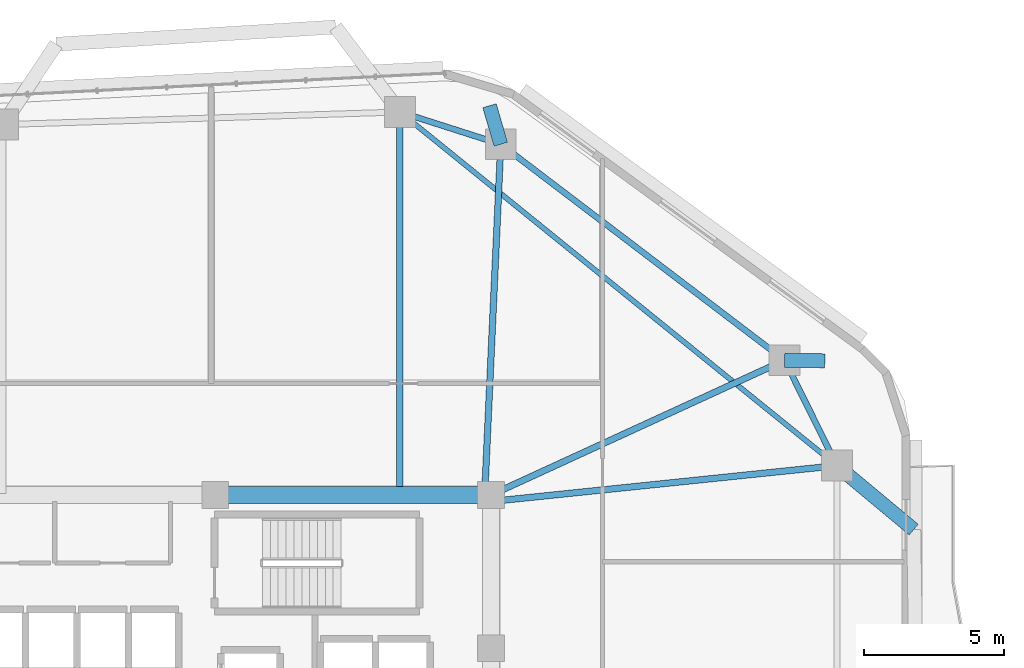
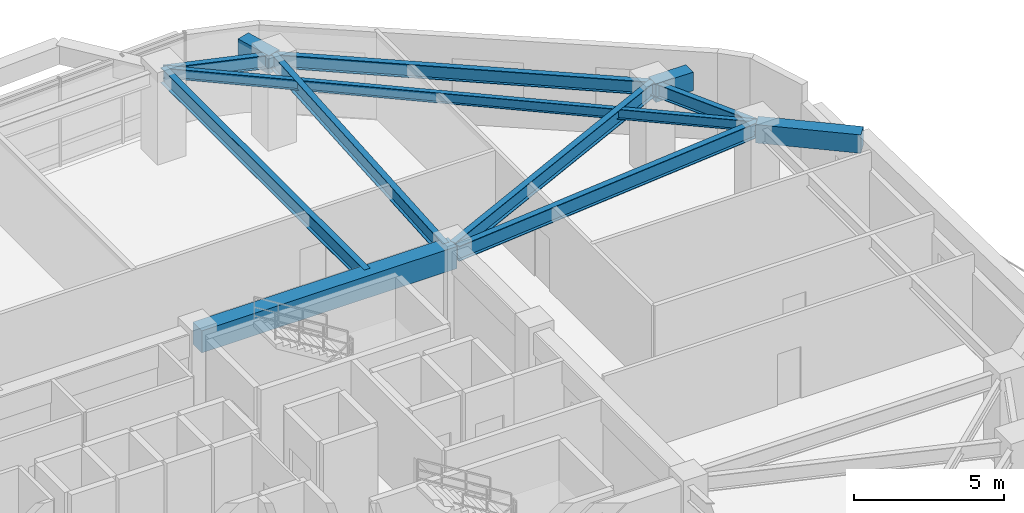
# One storey, part 5 of 14: 12 beams.
"""IFC4 building model written with IfcOpenShell, lengths in metres."""

from ifc_helpers import new_model, si_unit, direction, frame, origin, origin_2d, place, context, subcontext, project, spatial, rectangle, i_section, extrude, material, material_profile, profile_set, type_object, element, save


model = new_model("IFC4")

# Units and contexts
model_context = context("Model", 3, precision=1e-05, world=origin(), true_north=direction((0.0, 1.0)))
body_context = subcontext(model_context, "Body", "Model", "MODEL_VIEW")
ifc_project = project(units=[si_unit("LENGTHUNIT", "METRE"), si_unit("AREAUNIT", "SQUARE_METRE"), si_unit("VOLUMEUNIT", "CUBIC_METRE"), si_unit("PLANEANGLEUNIT", "RADIAN"), si_unit("MASSUNIT", "GRAM", prefix="KILO")], contexts=[model_context])

# Site, building, storey
site_placement = place(None, origin())
site = spatial("IfcSite", under=ifc_project, at=site_placement, CompositionType="ELEMENT")
building_placement = place(site_placement, origin())
building = spatial("IfcBuilding", under=site, at=building_placement, Name="Zulverin Broadcast Headquarters", CompositionType="ELEMENT")
storey_placement = place(building_placement, frame((0.0, 0.0, 147.800048828125)))
storey = spatial("IfcBuildingStorey", under=building, at=storey_placement, Name="L37", CompositionType="ELEMENT", Elevation=147.800048828125)

# Beams
ifc_material_1 = material(Name="Concrete C60/75", Category="concrete")
ifc_material_profile_1 = material_profile(ifc_material_1, rectangle(XDim=0.60009765625, YDim=0.89990234375, at=origin_2d()), Name="Concrete C60/75", Category="concrete")
ifc_profile_set_1 = profile_set([ifc_material_profile_1], Name="Concrete C60/75")
beam_type_1 = type_object("IfcBeamType", Name="BM-CB-600x900", PredefinedType="LINTEL", material=ifc_profile_set_1)
beam_1_placement = place(storey_placement, frame((48.27490234375, 33.074951171875, 3.08984375), z_axis=(-1.0, 0.0, 0.0), x_axis=(0.0, -1.0, 0.0)))
element("IfcBeam", 1, at=beam_1_placement, inside=storey, type_object=beam_type_1, Name="L37 Core Coupling Girder K05-K06", PredefinedType="LINTEL", context=body_context, shape_type="SweptSolid", body=[
    extrude(rectangle(XDim=0.60009765625, YDim=0.89990234375, at=origin_2d()), origin(), (0.0, 0.0, 1.0), 9.824951171875),
])
ifc_material_2 = material(Name="Concrete C40/50", Category="concrete")
ifc_material_profile_2 = material_profile(ifc_material_2, rectangle(XDim=0.5, YDim=0.75, at=origin_2d()), Name="Concrete C40/50", Category="concrete")
ifc_profile_set_2 = profile_set([ifc_material_profile_2], Name="Concrete C40/50")
beam_type_2 = type_object("IfcBeamType", Name="BM-RC-500x750", PredefinedType="BEAM", material=ifc_profile_set_2)
for number, where, z_axis, x_axis, name in (
    (2, (58.738037109375, 37.877685546875, 3.1650390625), (0.99990438472, -0.013828283279, 0.0), (0.013828283279, 0.99990438472, 0.0), "L38 Plate Overhang Back-Spanned Beam OVR-07"),
    (3, (48.62158203125, 45.574951171875, 3.1650390625), (-0.28015077605, 0.959956010804, 0.0), (-0.959956010804, -0.28015077605, 0.0), "L38 Plate Overhang Back-Spanned Beam OVR-08"),
):
    element("IfcBeam", number, at=place(storey_placement, frame(where, z_axis=z_axis, x_axis=x_axis)), inside=storey, type_object=beam_type_2, Name=name, PredefinedType="BEAM", context=body_context, shape_type="SweptSolid", body=[
        extrude(rectangle(XDim=0.5, YDim=0.75, at=origin_2d()), origin(), (0.0, 0.0, 1.0), 1.43017578125),
    ])
beam_2_placement = place(storey_placement, frame((60.60009765625, 34.12158203125, 3.1650390625), z_axis=(0.768429187848, -0.639934827356, 0.0), x_axis=(0.639934827356, 0.768429187848, 0.0)))
element("IfcBeam", 4, at=beam_2_placement, inside=storey, type_object=beam_type_2, Name="L38 Balcony Column-Framed Cantilever BAL_E-2", PredefinedType="BEAM", context=body_context, shape_type="SweptSolid", body=[
    extrude(rectangle(XDim=0.5, YDim=0.75, at=origin_2d()), origin(), (0.0, 0.0, 1.0), 3.560546875),
])
ifc_material_3 = material(Name="Structural steel S355JR", Category="steel")
ifc_material_profile_3 = material_profile(ifc_material_3, i_section(OverallWidth=0.179443359375, OverallDepth=0.412841796875, WebThickness=0.009521484375, FlangeThickness=0.01611328125, at=origin_2d()), Name="Structural steel S355JR", Category="steel")
ifc_profile_set_3 = profile_set([ifc_material_profile_3], Name="Structural steel S355JR")
beam_type_3 = type_object("IfcBeamType", Name="BM-UB-406", PredefinedType="JOIST", material=ifc_profile_set_3)
beam_3_placement = place(storey_placement, frame((60.60009765625, 34.12158203125, 3.33349609375), z_axis=(-0.777349017335, 0.629069555175, 0.0), x_axis=(-0.629069555175, -0.777349017335, 0.0)))
element("IfcBeam", 5, at=beam_3_placement, inside=storey, type_object=beam_type_3, Name="L37 Chordal Floor Joist J-02", PredefinedType="JOIST", context=body_context, shape_type="SweptSolid", body=[
    extrude(i_section(OverallWidth=0.179443359375, OverallDepth=0.412841796875, WebThickness=0.009521484375, FlangeThickness=0.01611328125, at=origin_2d()), origin(), (0.0, 0.0, 1.0), 20.032958984375),
])
ifc_material_profile_4 = material_profile(ifc_material_3, i_section(OverallWidth=0.2119140625, OverallDepth=0.54443359375, WebThickness=0.0126953125, FlangeThickness=0.021240234375, at=origin_2d()), Name="Structural steel S355JR", Category="steel")
ifc_profile_set_4 = profile_set([ifc_material_profile_4], Name="Structural steel S355JR")
beam_type_4 = type_object("IfcBeamType", Name="BM-UB-533", PredefinedType="SPANDREL", material=ifc_profile_set_4)
beam_4_placement = place(storey_placement, frame((60.60009765625, 34.12158203125, 3.267578125), z_axis=(-0.444159471033, 0.895947746407, 0.0), x_axis=(-0.895947746407, -0.444159471033, 0.0)))
element("IfcBeam", 6, at=beam_4_placement, inside=storey, type_object=beam_type_4, Name="L37 Perimeter Spandrel Beam SP-06", PredefinedType="SPANDREL", context=body_context, shape_type="SweptSolid", body=[
    extrude(i_section(OverallWidth=0.2119140625, OverallDepth=0.54443359375, WebThickness=0.0126953125, FlangeThickness=0.021240234375, at=origin_2d()), origin(), (0.0, 0.0, 1.0), 4.1923828125),
])
beam_5_placement = place(storey_placement, frame((58.738037109375, 37.877685546875, 3.267578125), z_axis=(-0.795830102505, 0.60551998146, 0.0), x_axis=(-0.60551998146, -0.795830102505, 0.0)))
element("IfcBeam", 7, at=beam_5_placement, inside=storey, type_object=beam_type_4, Name="L37 Perimeter Spandrel Beam SP-07", PredefinedType="SPANDREL", context=body_context, shape_type="SweptSolid", body=[
    extrude(i_section(OverallWidth=0.2119140625, OverallDepth=0.54443359375, WebThickness=0.0126953125, FlangeThickness=0.021240234375, at=origin_2d()), origin(), (0.0, 0.0, 1.0), 12.7119140625),
])
beam_6_placement = place(storey_placement, frame((48.62158203125, 45.574951171875, 3.267578125), z_axis=(-0.952531523781, 0.304439971428, 0.0), x_axis=(-0.304439971428, -0.952531523781, 0.0)))
element("IfcBeam", 8, at=beam_6_placement, inside=storey, type_object=beam_type_4, Name="L37 Perimeter Spandrel Beam SP-08", PredefinedType="SPANDREL", context=body_context, shape_type="SweptSolid", body=[
    extrude(i_section(OverallWidth=0.2119140625, OverallDepth=0.54443359375, WebThickness=0.0126953125, FlangeThickness=0.021240234375, at=origin_2d()), origin(), (0.0, 0.0, 1.0), 3.773193359375),
])
ifc_material_profile_5 = material_profile(ifc_material_3, i_section(OverallWidth=0.230224609375, OverallDepth=0.6171875, WebThickness=0.01318359375, FlangeThickness=0.022216796875, at=origin_2d()), Name="Structural steel S355JR", Category="steel")
ifc_profile_set_5 = profile_set([ifc_material_profile_5], Name="Structural steel S355JR")
beam_type_5 = type_object("IfcBeamType", Name="BM-UB-610", PredefinedType="BEAM", material=ifc_profile_set_5)
beam_7_placement = place(storey_placement, frame((48.324951171875, 32.85009765625, 3.2314453125), z_axis=(0.994678169641, 0.103030766473, 0.0), x_axis=(-0.103030766473, 0.994678169641, 0.0)))
element("IfcBeam", 9, at=beam_7_placement, inside=storey, type_object=beam_type_5, Name="L37 Radial Primary Floor Beam RB-06", PredefinedType="BEAM", context=body_context, shape_type="SweptSolid", body=[
    extrude(i_section(OverallWidth=0.230224609375, OverallDepth=0.6171875, WebThickness=0.01318359375, FlangeThickness=0.022216796875, at=origin_2d()), origin(), (0.0, 0.0, 1.0), 12.3408203125),
])
beam_8_placement = place(storey_placement, frame((48.27490234375, 33.074951171875, 3.2314453125), z_axis=(0.90883007293, 0.417166511764, 0.0), x_axis=(-0.417166511764, 0.90883007293, 0.0)))
element("IfcBeam", 10, at=beam_8_placement, inside=storey, type_object=beam_type_5, Name="L37 Radial Primary Floor Beam RB-07", PredefinedType="BEAM", context=body_context, shape_type="SweptSolid", body=[
    extrude(i_section(OverallWidth=0.230224609375, OverallDepth=0.6171875, WebThickness=0.01318359375, FlangeThickness=0.022216796875, at=origin_2d()), origin(), (0.0, 0.0, 1.0), 11.5126953125),
])
beam_9_placement = place(storey_placement, frame((48.050048828125, 33.125, 3.2314453125), z_axis=(0.045858166026, 0.998947960911, 0.0), x_axis=(-0.998947960911, 0.045858166026, 0.0)))
element("IfcBeam", 11, at=beam_9_placement, inside=storey, type_object=beam_type_5, Name="L37 Radial Primary Floor Beam RB-08", PredefinedType="BEAM", context=body_context, shape_type="SweptSolid", body=[
    extrude(i_section(OverallWidth=0.230224609375, OverallDepth=0.6171875, WebThickness=0.01318359375, FlangeThickness=0.022216796875, at=origin_2d()), origin(), (0.0, 0.0, 1.0), 12.463134765625),
])
beam_10_placement = place(storey_placement, frame((45.027587890625, 33.125, 3.2314453125), z_axis=(0.0, 1.0, 0.0), x_axis=(-1.0, 0.0, 0.0)))
element("IfcBeam", 12, at=beam_10_placement, inside=storey, type_object=beam_type_5, Name="L37 Radial Primary Floor Beam RB-09", PredefinedType="BEAM", context=body_context, shape_type="SweptSolid", body=[
    extrude(i_section(OverallWidth=0.230224609375, OverallDepth=0.6171875, WebThickness=0.01318359375, FlangeThickness=0.022216796875, at=origin_2d()), origin(), (0.0, 0.0, 1.0), 13.5986328125),
])

save(model, "model.ifc")
